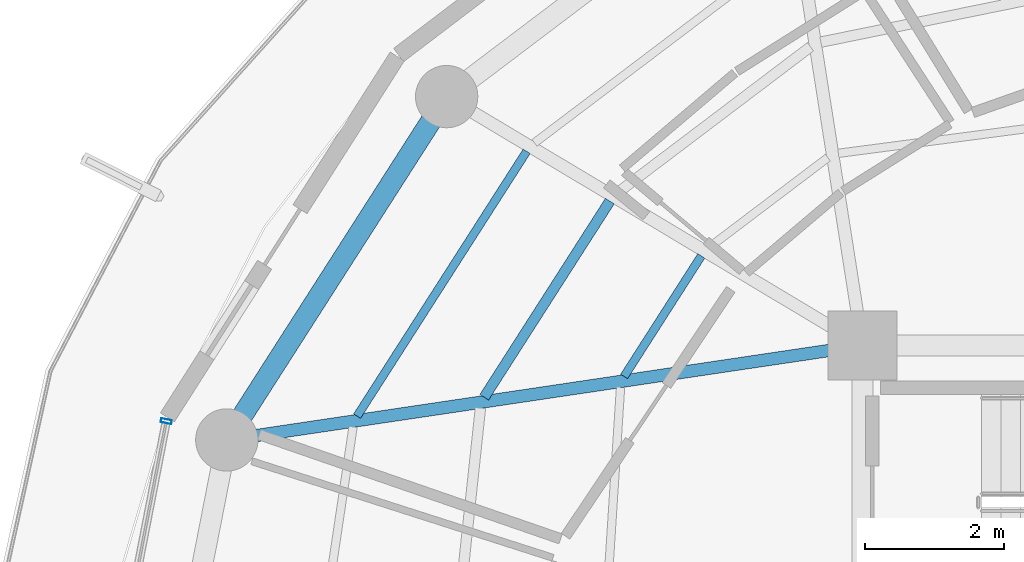
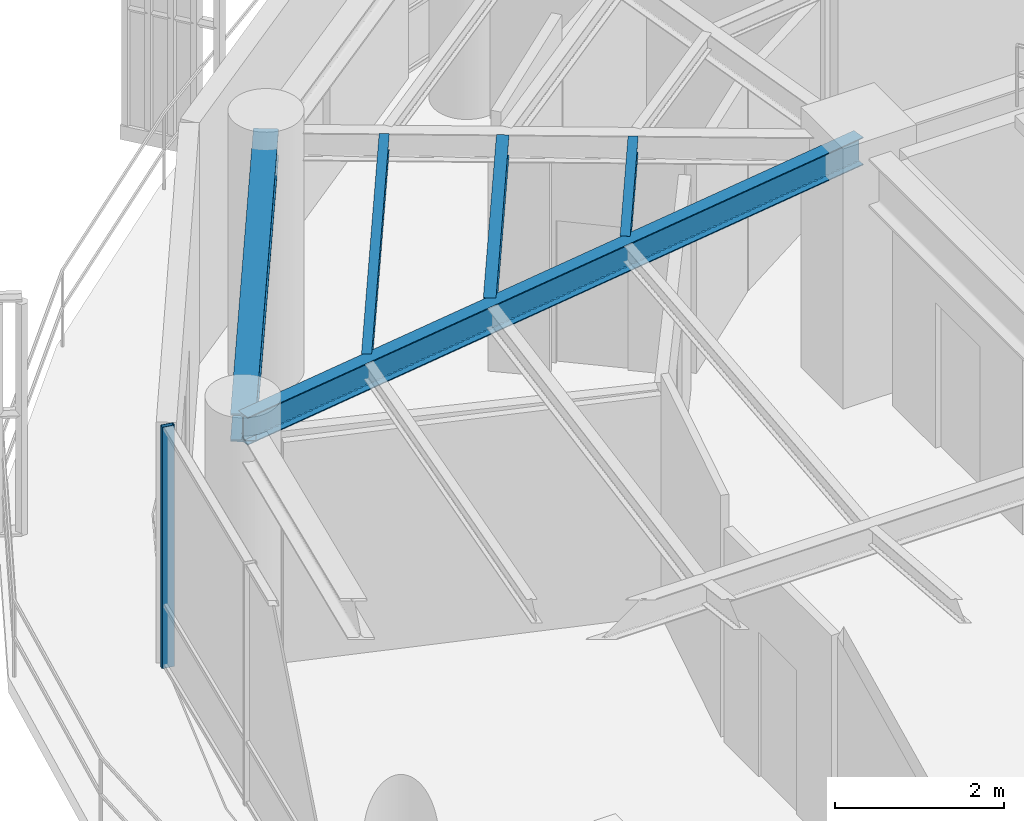
# One storey, part 8 of 23: 5 beams, 1 member, 1 element without a shape of its own.
"""IFC4 building model written with IfcOpenShell, lengths in metres."""

from ifc_helpers import new_model, si_unit, direction, frame, origin, origin_2d, place, context, subcontext, project, spatial, hollow_rectangle, i_section, extrude, material, layer, layer_set, material_profile, profile_set, type_object, element, aggregate, save


model = new_model("IFC4")

# Units and contexts
model_context = context("Model", 3, precision=1e-05, world=origin(), true_north=direction((0.0, 1.0)))
body_context = subcontext(model_context, "Body", "Model", "MODEL_VIEW")
ifc_project = project(units=[si_unit("LENGTHUNIT", "METRE"), si_unit("AREAUNIT", "SQUARE_METRE"), si_unit("VOLUMEUNIT", "CUBIC_METRE"), si_unit("PLANEANGLEUNIT", "RADIAN"), si_unit("MASSUNIT", "GRAM", prefix="KILO")], contexts=[model_context])

# Site, building, storey
site_placement = place(None, origin())
site = spatial("IfcSite", under=ifc_project, at=site_placement, CompositionType="ELEMENT")
building_placement = place(site_placement, origin())
building = spatial("IfcBuilding", under=site, at=building_placement, Name="Kelanora Arch Commons", CompositionType="ELEMENT")
storey_placement = place(building_placement, frame((0.0, 0.0, 278.699951171875)))
storey = spatial("IfcBuildingStorey", under=building, at=storey_placement, Name="L71", CompositionType="ELEMENT", Elevation=278.699951171875)

# Beams
ifc_material_1 = material(Name="Steel S355", Category="steel")
ifc_material_profile_1 = material_profile(ifc_material_1, i_section(OverallWidth=0.14990234375, OverallDepth=0.300048828125, WebThickness=0.007080078125, FlangeThickness=0.0107421875, FilletRadius=0.014892578125, at=origin_2d()), Name="IPE300")
ifc_profile_set_1 = profile_set([ifc_material_profile_1], Name="Steel S355")
beam_type_1 = type_object("IfcBeamType", Name="BM-JST-01", PredefinedType="JOIST", material=ifc_profile_set_1)
beam_1_placement = place(storey_placement, frame((62.352294921875, 67.084228515625, 3.340087890625), z_axis=(-0.539321586177, -0.842099891155, 0.0), x_axis=(0.842099891155, -0.539321586177, 0.0)))
element("IfcBeam", 1, at=beam_1_placement, inside=storey, type_object=beam_type_1, Name="Secondary Chord Joist BJB-14 L71", PredefinedType="JOIST", context=body_context, shape_type="SweptSolid", body=[
    extrude(i_section(OverallWidth=0.14990234375, OverallDepth=0.300048828125, WebThickness=0.007080078125, FlangeThickness=0.0107421875, FilletRadius=0.014892578125, at=origin_2d()), origin(), (0.0, 0.0, 1.0), 3.361572265625),
])
ifc_material_profile_2 = material_profile(ifc_material_1, i_section(OverallWidth=0.1201171875, OverallDepth=0.239990234375, WebThickness=0.006103515625, FlangeThickness=0.009765625, FilletRadius=0.014892578125, at=origin_2d()), Name="IPE240")
ifc_profile_set_2 = profile_set([ifc_material_profile_2], Name="Steel S355")
beam_type_2 = type_object("IfcBeamType", Name="BM-JST-02", PredefinedType="JOIST", material=ifc_profile_set_2)
beam_2_placement = place(storey_placement, frame((63.6728515625, 66.293701171875, 3.3701171875), z_axis=(-0.539311810315, -0.842106152011, 0.0), x_axis=(0.842106152011, -0.539311810315, 0.0)))
element("IfcBeam", 2, at=beam_2_placement, inside=storey, type_object=beam_type_2, Name="Secondary Chord Joist BJA-14 L71", PredefinedType="JOIST", context=body_context, shape_type="SweptSolid", body=[
    extrude(i_section(OverallWidth=0.1201171875, OverallDepth=0.239990234375, WebThickness=0.006103515625, FlangeThickness=0.009765625, FilletRadius=0.014892578125, at=origin_2d()), origin(), (0.0, 0.0, 1.0), 2.06640625),
])
beam_3_placement = place(storey_placement, frame((61.151611328125, 67.802978515625, 3.3701171875), z_axis=(-0.539288735289, -0.842120929552, 0.0), x_axis=(0.842120929552, -0.539288735289, 0.0)))
element("IfcBeam", 3, at=beam_3_placement, inside=storey, type_object=beam_type_2, Name="Secondary Chord Joist BJC-14 L71", PredefinedType="JOIST", context=body_context, shape_type="SweptSolid", body=[
    extrude(i_section(OverallWidth=0.1201171875, OverallDepth=0.239990234375, WebThickness=0.006103515625, FlangeThickness=0.009765625, FilletRadius=0.014892578125, at=origin_2d()), origin(), (0.0, 0.0, 1.0), 4.538818359375),
])
ifc_material_profile_3 = material_profile(ifc_material_1, i_section(OverallWidth=0.179931640625, OverallDepth=0.39990234375, WebThickness=0.008544921875, FlangeThickness=0.013427734375, FilletRadius=0.02099609375, at=origin_2d()), Name="IPE400")
ifc_profile_set_3 = profile_set([ifc_material_profile_3], Name="Steel S355")
beam_type_3 = type_object("IfcBeamType", Name="BM-RAD-Z5", PredefinedType="BEAM", material=ifc_profile_set_3)
beam_4_placement = place(storey_placement, frame((66.0, 65.0, 3.2900390625), z_axis=(-0.989142485564, -0.146959665395, 0.0), x_axis=(0.146959665395, -0.989142485564, 0.0)))
element("IfcBeam", 4, at=beam_4_placement, inside=storey, type_object=beam_type_3, Name="Radial Floor Girder BR-16 L71", PredefinedType="BEAM", context=body_context, shape_type="SweptSolid", body=[
    extrude(i_section(OverallWidth=0.179931640625, OverallDepth=0.39990234375, WebThickness=0.008544921875, FlangeThickness=0.013427734375, FilletRadius=0.02099609375, at=origin_2d()), origin(), (0.0, 0.0, 1.0), 9.2783203125),
])
ifc_material_profile_4 = material_profile(ifc_material_1, i_section(OverallWidth=0.300048828125, OverallDepth=0.39990234375, WebThickness=0.013427734375, FlangeThickness=0.02392578125, FilletRadius=0.027099609375, at=origin_2d()), Name="HEB400")
ifc_profile_set_4 = profile_set([ifc_material_profile_4], Name="Steel S355")
beam_type_4 = type_object("IfcBeamType", Name="BM-SPN-Z4", PredefinedType="SPANDREL", material=ifc_profile_set_4)
beam_5_placement = place(storey_placement, frame((59.99658203125, 68.593017578125, 3.2900390625), z_axis=(-0.539280851353, -0.842125978322, 0.0), x_axis=(0.842125978322, -0.539280851353, 0.0)))
element("IfcBeam", 5, at=beam_5_placement, inside=storey, type_object=beam_type_4, Name="Perimeter Spandrel Beam BS-14 L71", PredefinedType="SPANDREL", context=body_context, shape_type="SweptSolid", body=[
    extrude(i_section(OverallWidth=0.300048828125, OverallDepth=0.39990234375, WebThickness=0.013427734375, FlangeThickness=0.02392578125, FilletRadius=0.027099609375, at=origin_2d()), origin(), (0.0, 0.0, 1.0), 5.8857421875),
])

# Curtain wall, member
ifc_material_2 = material(Name="Terracotta ceramic-fritted low-E glass and aluminium", Category="masonry")
ifc_layer = layer(ifc_material_2, 0.18994140625)
ifc_layer_set = layer_set([ifc_layer], Name="Terracotta ceramic-fritted low-E glass and aluminium")
curtain_wall_type = type_object("IfcCurtainWallType", Name="CW-SYS-03", PredefinedType="NOTDEFINED", material=ifc_layer_set)
curtain_wall_placement = place(storey_placement, origin())
curtain_wall = element("IfcCurtainWall", 6, at=curtain_wall_placement, inside=storey, type_object=curtain_wall_type, Name="Unitised Curtain Wall L71-B08", PredefinedType="NOTDEFINED")
ifc_material_3 = material(Name="Powder-coated aluminium terracotta", Category="masonry")
ifc_material_profile_5 = material_profile(ifc_material_3, hollow_rectangle(XDim=0.159912109375, YDim=0.06005859375, WallThickness=0.0048828125, InnerFilletRadius=0.0048828125, OuterFilletRadius=0.010009765625, at=origin_2d()), Name="CWM160x60")
ifc_profile_set_5 = profile_set([ifc_material_profile_5], Name="Powder-coated aluminium terracotta")
member_type = type_object("IfcMemberType", Name="CWM-STD", PredefinedType="MULLION", material=ifc_profile_set_5)
member_placement = place(storey_placement, frame((55.94921875, 63.906982421875, 0.0), z_axis=(0.0, 0.0, 1.0), x_axis=(0.981595542501, -0.190971701941, 0.0)))
member = element("IfcMember", 7, at=member_placement, type_object=member_type, Name="CW-03 mullion 1", PredefinedType="MULLION", context=body_context, shape_type="SweptSolid", body=[
    extrude(hollow_rectangle(XDim=0.159912109375, YDim=0.06005859375, WallThickness=0.0048828125, InnerFilletRadius=0.0048828125, OuterFilletRadius=0.010009765625, at=origin_2d()), origin(), (0.0, 0.0, 1.0), 3.47509765625),
])
aggregate(curtain_wall, [member])

save(model, "model.ifc")
